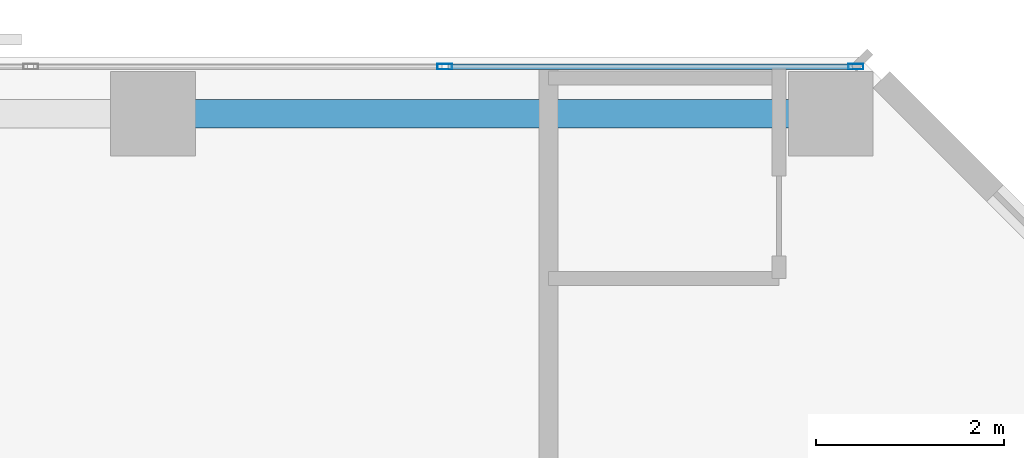
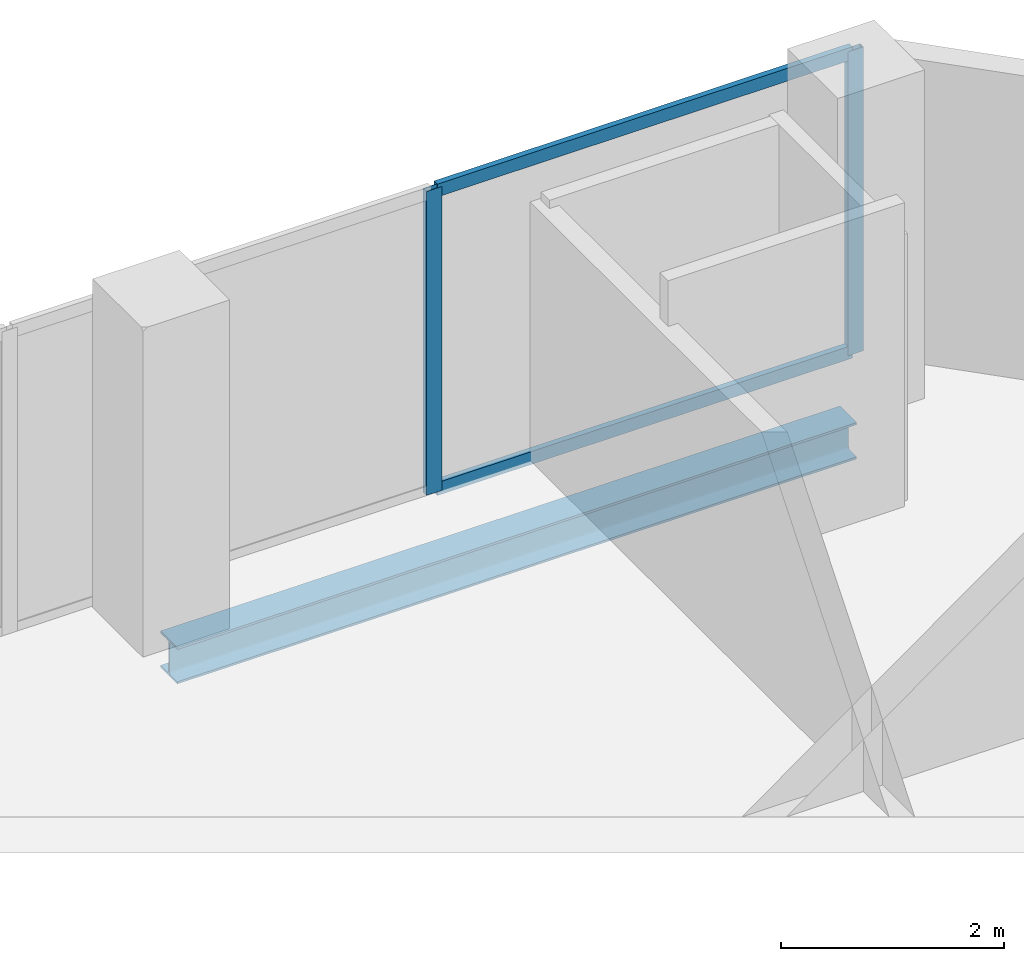
# One storey, part 25 of 34: 4 members, 1 beam, 1 element without a shape of its own.
"""IFC4 building model written with IfcOpenShell, lengths in metres."""

import ifcopenshell
import ifcopenshell.guid

model = None  # the IFC model being written
_history = None  # IfcOwnerHistory: only IFC2X3 demands one
_inside = {}  # id of a spatial element -> (the spatial element, [elements in it])
_under = {}  # id of a project, library or spatial element -> (it, [spatial elements below it])
_declared = {}  # id of a project -> (the project, [libraries it declares])
_typed = {}  # id of a type object -> (the type object, [elements of that type])
_made_of = {}  # id of a material, layer set ... -> (it, [elements and type objects made of it])


def new_model(schema):
    """Start an empty IFC model of exactly this schema.

    Asked for "IFC4X3", IfcOpenShell would pick the latest addendum, in which some entities
    have other attributes; the version numbers below select the first issue.
    IFC2X3 requires an IfcOwnerHistory on every rooted entity: one is made here for all.
    """
    global model, _history
    if schema == "IFC4X3":
        model = ifcopenshell.file(schema_version=(4, 3, 0, 0))
    else:
        model = ifcopenshell.file(schema=schema)
    _inside.clear()
    _under.clear()
    _declared.clear()
    _typed.clear()
    _made_of.clear()
    _history = None
    if model.schema == "IFC2X3":
        org = make("IfcOrganization", Name="unknown")
        user = make(
            "IfcPersonAndOrganization",
            ThePerson=make("IfcPerson", FamilyName="unknown"),
            TheOrganization=org,
        )
        app = make(
            "IfcApplication",
            ApplicationDeveloper=org,
            Version="unknown",
            ApplicationFullName="unknown",
            ApplicationIdentifier="unknown",
        )
        _history = make(
            "IfcOwnerHistory",
            OwningUser=user,
            OwningApplication=app,
            ChangeAction="ADDED",
            CreationDate=0,
        )
    return model


def make(cls, **values):
    """One entity of the class cls with the attributes given. An attribute that is None is left unset."""
    return model.create_entity(
        cls, **{name: value for name, value in values.items() if value is not None}
    )


def rooted(cls, **values):
    """An entity with a GlobalId (a new one), such as an element, a storey or a relation."""
    return make(cls, GlobalId=ifcopenshell.guid.new(), OwnerHistory=_history, **values)


def si_unit(unit_type, name, prefix=None):
    """IfcSIUnit, for example si_unit("LENGTHUNIT", "METRE", prefix="MILLI")."""
    return make("IfcSIUnit", UnitType=unit_type, Prefix=prefix, Name=name)


def assignment(units):
    """IfcUnitAssignment: the units of a project."""
    return None if units is None else make("IfcUnitAssignment", Units=units)


def point(xyz):
    """IfcCartesianPoint."""
    return None if xyz is None else make("IfcCartesianPoint", Coordinates=xyz)


def direction(xyz):
    """IfcDirection."""
    return None if xyz is None else make("IfcDirection", DirectionRatios=xyz)


def frame(location, z_axis=None, x_axis=None):
    """IfcAxis2Placement3D, a coordinate frame: its origin and axes. An axis left out is left unset."""
    return make(
        "IfcAxis2Placement3D",
        Location=point(location),
        Axis=direction(z_axis),
        RefDirection=direction(x_axis),
    )


def frame_2d(location, x_axis=None):
    """IfcAxis2Placement2D, a coordinate frame in the plane: its origin and x axis."""
    return make(
        "IfcAxis2Placement2D", Location=point(location), RefDirection=direction(x_axis)
    )


def origin():
    """The frame at (0, 0, 0) with its axes left unset."""
    return frame((0.0, 0.0, 0.0))


def origin_2d():
    """The frame at (0, 0) in the plane with its x axis left unset."""
    return frame_2d((0.0, 0.0))


def place(relative_to, where):
    """IfcLocalPlacement: puts the frame where relative to a parent placement (None: the world)."""
    return make(
        "IfcLocalPlacement", PlacementRelTo=relative_to, RelativePlacement=where
    )


def context(
    kind, dimensions, precision=None, world=None, true_north=None, identifier=None
):
    """IfcGeometricRepresentationContext, for example the 3D "Model" context."""
    return make(
        "IfcGeometricRepresentationContext",
        ContextIdentifier=identifier,
        ContextType=kind,
        CoordinateSpaceDimension=dimensions,
        Precision=precision,
        WorldCoordinateSystem=world,
        TrueNorth=true_north,
    )


def subcontext(parent, identifier, kind, view, scale=None):
    """IfcGeometricRepresentationSubContext, for example "Body" below "Model"."""
    return make(
        "IfcGeometricRepresentationSubContext",
        ContextIdentifier=identifier,
        ContextType=kind,
        ParentContext=parent,
        TargetScale=scale,
        TargetView=view,
    )


def project(units=None, contexts=None):
    """IfcProject with its units and contexts."""
    return rooted(
        "IfcProject",
        Name="project",
        RepresentationContexts=contexts,
        UnitsInContext=assignment(units),
    )


def spatial(cls, under=None, at=None, **own):
    """A site, building, storey or space (cls), placed at a placement, below another one or the project."""
    s = rooted(cls, ObjectPlacement=at, **own)
    if under is not None:
        _under.setdefault(under.id(), (under, []))[1].append(s)
    return s


def profile(cls, at=None, kind="AREA", **sizes):
    """A parametric profile (cls). Its sizes go by their IFC names, for example OverallWidth=200.0."""
    return make(cls, ProfileType=kind, Position=at, **sizes)


def hollow_rectangle(**sizes):
    """IfcRectangleHollowProfileDef."""
    return profile("IfcRectangleHollowProfileDef", **sizes)


def i_section(**sizes):
    """IfcIShapeProfileDef."""
    return profile("IfcIShapeProfileDef", **sizes)


def extrude(swept, where, along, depth):
    """IfcExtrudedAreaSolid: the profile swept, set in the frame where, extruded along a direction by depth."""
    return make(
        "IfcExtrudedAreaSolid",
        SweptArea=swept,
        Position=where,
        ExtrudedDirection=direction(along),
        Depth=depth,
    )


def shape(context_of_items, identifier, shape_type, items):
    """IfcShapeRepresentation: the items that make up one representation, for example the "Body"."""
    return make(
        "IfcShapeRepresentation",
        ContextOfItems=context_of_items,
        RepresentationIdentifier=identifier,
        RepresentationType=shape_type,
        Items=items,
    )


def material(Name=None, Category=None):
    """IfcMaterial."""
    return make("IfcMaterial", Name=Name, Category=Category)


def layer(
    of_material, thickness, ventilated=None, Name=None, Category=None, Priority=None
):
    """IfcMaterialLayer: one layer of a wall or slab, of a material (None: an air gap)."""
    return make(
        "IfcMaterialLayer",
        Material=of_material,
        LayerThickness=thickness,
        IsVentilated=ventilated,
        Name=Name,
        Category=Category,
        Priority=Priority,
    )


def layer_set(layers, Name=None):
    """IfcMaterialLayerSet."""
    return make("IfcMaterialLayerSet", MaterialLayers=layers, LayerSetName=Name)


def material_profile(
    of_material, cross_section, Name=None, Category=None, Priority=None
):
    """IfcMaterialProfile: a cross section and its material."""
    return make(
        "IfcMaterialProfile",
        Name=Name,
        Material=of_material,
        Profile=cross_section,
        Priority=Priority,
        Category=Category,
    )


def profile_set(profiles, Name=None, composite=None):
    """IfcMaterialProfileSet."""
    return make(
        "IfcMaterialProfileSet",
        Name=Name,
        MaterialProfiles=profiles,
        CompositeProfile=composite,
    )


def made_of(thing, what):
    """Note that an element or type object is made of a material, layer set ...; save() writes the relation."""
    if what is not None:
        _made_of.setdefault(what.id(), (what, []))[1].append(thing)
    return thing


def type_object(cls, material=None, **own):
    """A type object (cls), such as IfcWallType, which elements share."""
    return made_of(rooted(cls, **own), material)


def element(
    cls,
    number,
    at=None,
    inside=None,
    cuts=None,
    type_object=None,
    material=None,
    context=None,
    identifier="Body",
    shape_type=None,
    held_by="IfcProductDefinitionShape",
    body=None,
    shapes=None,
    **own,
):
    """One element of the class cls, such as IfcWall. Its Tag is "e" and its number.

    at: its placement. inside: the storey or other place that contains it. cuts: it is an
    opening in that element (IfcRelVoidsElement). A single representation is given by context,
    identifier, shape_type and body (its items); several are given by shapes. held_by: the class
    of the entity that holds the representations. save() writes the other relations.
    """
    e = rooted(cls, Tag="e%d" % number, ObjectPlacement=at, **own)
    if body is not None:
        shapes = [shape(context, identifier, shape_type, body)]
    if shapes is not None:
        e.Representation = make(held_by, Representations=shapes)
    if inside is not None:
        _inside.setdefault(inside.id(), (inside, []))[1].append(e)
    if cuts is not None:
        rooted(
            "IfcRelVoidsElement", RelatingBuildingElement=cuts, RelatedOpeningElement=e
        )
    if type_object is not None:
        _typed.setdefault(type_object.id(), (type_object, []))[1].append(e)
    return made_of(e, material)


def aggregate(whole, parts):
    """IfcRelAggregates: a whole, such as a stair, and the parts it consists of."""
    return rooted("IfcRelAggregates", RelatingObject=whole, RelatedObjects=parts)


def save(model, path):
    """Write the relations noted so far, then the file.

    IfcRelAggregates (storeys below a building ...), IfcRelContainedInSpatialStructure (elements
    in a storey), IfcRelDefinesByType, IfcRelAssociatesMaterial and IfcRelDeclares: one each for
    every whole, place, type object, material and project.
    """
    for whole, parts in _under.values():
        aggregate(whole, parts)
    for where, things in _inside.values():
        rooted(
            "IfcRelContainedInSpatialStructure",
            RelatedElements=things,
            RelatingStructure=where,
        )
    for kind, things in _typed.values():
        rooted("IfcRelDefinesByType", RelatedObjects=things, RelatingType=kind)
    for what, things in _made_of.values():
        rooted("IfcRelAssociatesMaterial", RelatedObjects=things, RelatingMaterial=what)
    for by, libraries in _declared.values():
        rooted("IfcRelDeclares", RelatingContext=by, RelatedDefinitions=libraries)
    model.write(path)


model = new_model("IFC4")

# Units and contexts
model_context = context("Model", 3, precision=1e-05, world=origin(), true_north=direction((0.0, 1.0)))
body_context = subcontext(model_context, "Body", "Model", "MODEL_VIEW")
ifc_project = project(units=[si_unit("LENGTHUNIT", "METRE"), si_unit("AREAUNIT", "SQUARE_METRE"), si_unit("VOLUMEUNIT", "CUBIC_METRE"), si_unit("PLANEANGLEUNIT", "RADIAN"), si_unit("MASSUNIT", "GRAM", prefix="KILO")], contexts=[model_context])

# Site, building, storey
site_placement = place(None, origin())
site = spatial("IfcSite", under=ifc_project, at=site_placement, CompositionType="ELEMENT")
building_placement = place(site_placement, origin())
building = spatial("IfcBuilding", under=site, at=building_placement, Name="Catumbela Crestline Tower", CompositionType="ELEMENT")
storey_placement = place(building_placement, frame((0.0, 0.0, 97.2)))
storey = spatial("IfcBuildingStorey", under=building, at=storey_placement, Name="L24", CompositionType="ELEMENT", Elevation=97.2)

# Curtain wall, members
ifc_material_1 = material(Name="Aluminium alloy AW-6060-T66", Category="aluminium")
ifc_layer = layer(ifc_material_1, 0.18, Name="Aluminium alloy AW-6060-T66")
ifc_layer_set = layer_set([ifc_layer], Name="Aluminium alloy AW-6060-T66")
curtain_wall_type = type_object("IfcCurtainWallType", Name="CWU-Z2", PredefinedType="USERDEFINED", material=ifc_layer_set)
curtain_wall_placement = place(storey_placement, origin())
curtain_wall = element("IfcCurtainWall", 1, at=curtain_wall_placement, inside=storey, type_object=curtain_wall_type, Name="L24 Unitised Curtain Wall CW-L24-E7S1", ObjectType="UNITISED", PredefinedType="USERDEFINED")
ifc_material_profile_1 = material_profile(ifc_material_1, hollow_rectangle(XDim=0.06, YDim=0.16, WallThickness=0.004, at=origin_2d()), Name="ALU 160x60x4")
ifc_profile_set_1 = profile_set([ifc_material_profile_1], Name="Aluminium alloy AW-6060-T66")
member_type_1 = type_object("IfcMemberType", Name="MUL-160X60", PredefinedType="MULLION", material=ifc_profile_set_1)
member_1_placement = place(storey_placement, frame((47.4675, 47.9, 0.0), z_axis=(0.0, 0.0, 1.0), x_axis=(0.0, -1.0, 0.0)))
member_1 = element("IfcMember", 2, at=member_1_placement, type_object=member_type_1, Name="CWU-Z2 mullion 1", PredefinedType="MULLION", context=body_context, shape_type="SweptSolid", body=[
    extrude(hollow_rectangle(XDim=0.06, YDim=0.16, WallThickness=0.004, at=origin_2d()), origin(), (0.0, 0.0, 1.0), 3.33),
])
member_2_placement = place(storey_placement, frame((43.1, 47.9, 0.0), z_axis=(0.0, 0.0, 1.0), x_axis=(0.0, -1.0, 0.0)))
member_2 = element("IfcMember", 3, at=member_2_placement, type_object=member_type_1, Name="CWU-Z2 mullion 2", PredefinedType="MULLION", context=body_context, shape_type="SweptSolid", body=[
    extrude(hollow_rectangle(XDim=0.06, YDim=0.16, WallThickness=0.004, at=origin_2d()), origin(), (0.0, 0.0, 1.0), 3.33),
])

# Beam
ifc_material_2 = material(Name="Structural steel S355J2", Category="steel")
ifc_material_profile_2 = material_profile(ifc_material_2, i_section(OverallWidth=0.3, OverallDepth=0.4, WebThickness=0.0135, FlangeThickness=0.024, FilletRadius=0.027, at=origin_2d()), Name="HEB 400")
ifc_profile_set_2 = profile_set([ifc_material_profile_2], Name="Structural steel S355J2")
beam_type = type_object("IfcBeamType", Name="BS-HEB400", PredefinedType="SPANDREL", material=ifc_profile_set_2)
beam_placement = place(storey_placement, frame((40.08, 47.4, -0.46), z_axis=(1.0, 0.0, 0.0), x_axis=(0.0, 1.0, 0.0)))
element("IfcBeam", 4, at=beam_placement, inside=storey, type_object=beam_type, Name="L24 Spandrel SP-L24-NF21", PredefinedType="SPANDREL", context=body_context, shape_type="SweptSolid", body=[
    extrude(i_section(OverallWidth=0.3, OverallDepth=0.4, WebThickness=0.0135, FlangeThickness=0.024, FilletRadius=0.027, at=origin_2d()), origin(), (0.0, 0.0, 1.0), 7.04),
])

# Member
ifc_material_profile_3 = material_profile(ifc_material_1, hollow_rectangle(XDim=0.06, YDim=0.14, WallThickness=0.004, at=origin_2d()), Name="ALU 140x60x4")
ifc_profile_set_3 = profile_set([ifc_material_profile_3], Name="Aluminium alloy AW-6060-T66")
member_type_2 = type_object("IfcMemberType", Name="TRN-140X60", PredefinedType="USERDEFINED", material=ifc_profile_set_3)
member_3_placement = place(storey_placement, frame((47.435, 47.9, 0.03), z_axis=(-1.0, 0.0, 0.0), x_axis=(0.0, -1.0, 0.0)))
member_3 = element("IfcMember", 5, at=member_3_placement, type_object=member_type_2, Name="CWU-Z2 transom 1.1", ObjectType="TRANSOM", PredefinedType="USERDEFINED", context=body_context, shape_type="SweptSolid", body=[
    extrude(hollow_rectangle(XDim=0.06, YDim=0.14, WallThickness=0.004, at=origin_2d()), origin(), (0.0, 0.0, 1.0), 4.3025),
])

member_4_placement = place(storey_placement, frame((47.435, 47.9, 3.3), z_axis=(-1.0, 0.0, 0.0), x_axis=(0.0, -1.0, 0.0)))
member_4 = element("IfcMember", 6, at=member_4_placement, type_object=member_type_2, Name="CWU-Z2 transom 1.2", ObjectType="TRANSOM", PredefinedType="USERDEFINED", context=body_context, shape_type="SweptSolid", body=[
    extrude(hollow_rectangle(XDim=0.06, YDim=0.14, WallThickness=0.004, at=origin_2d()), origin(), (0.0, 0.0, 1.0), 4.3025),
])

aggregate(curtain_wall, [member_1, member_2, member_3, member_4])

save(model, "model.ifc")
